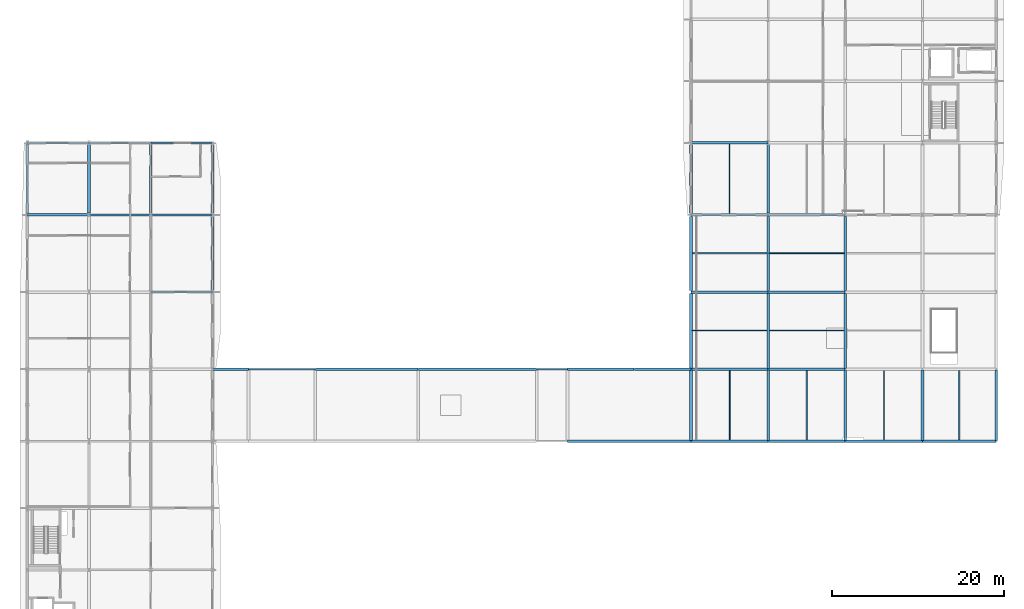
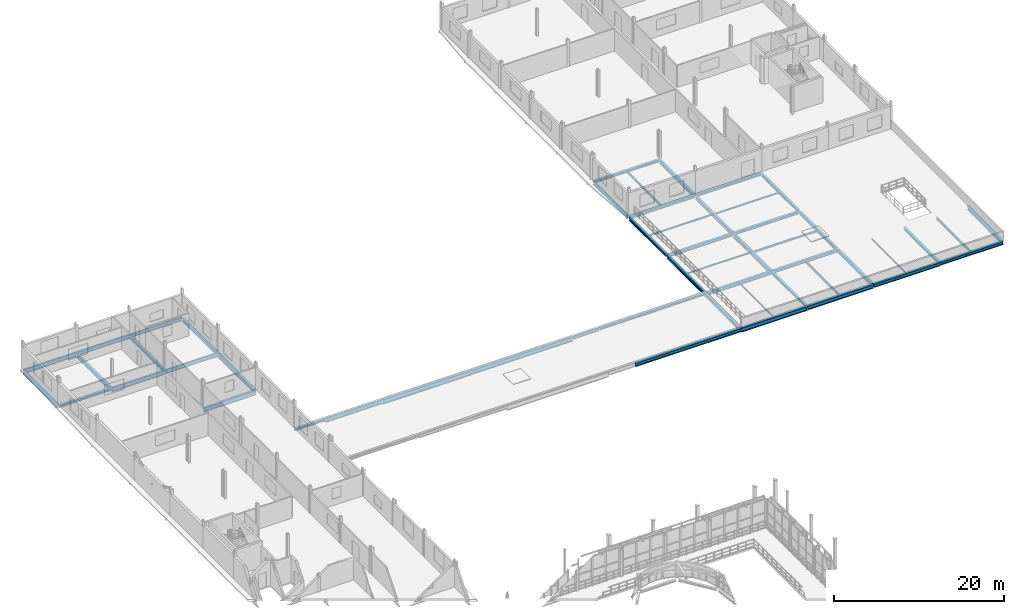
# One storey, part 42 of 78: 53 beams.
"""IFC4 building model written with IfcOpenShell, lengths in metres."""

import ifcopenshell
import ifcopenshell.guid

model = None  # the IFC model being written
_history = None  # IfcOwnerHistory: only IFC2X3 demands one
_inside = {}  # id of a spatial element -> (the spatial element, [elements in it])
_under = {}  # id of a project, library or spatial element -> (it, [spatial elements below it])
_declared = {}  # id of a project -> (the project, [libraries it declares])
_typed = {}  # id of a type object -> (the type object, [elements of that type])
_made_of = {}  # id of a material, layer set ... -> (it, [elements and type objects made of it])


def new_model(schema):
    """Start an empty IFC model of exactly this schema.

    Asked for "IFC4X3", IfcOpenShell would pick the latest addendum, in which some entities
    have other attributes; the version numbers below select the first issue.
    IFC2X3 requires an IfcOwnerHistory on every rooted entity: one is made here for all.
    """
    global model, _history
    if schema == "IFC4X3":
        model = ifcopenshell.file(schema_version=(4, 3, 0, 0))
    else:
        model = ifcopenshell.file(schema=schema)
    _inside.clear()
    _under.clear()
    _declared.clear()
    _typed.clear()
    _made_of.clear()
    _history = None
    if model.schema == "IFC2X3":
        org = make("IfcOrganization", Name="unknown")
        user = make(
            "IfcPersonAndOrganization",
            ThePerson=make("IfcPerson", FamilyName="unknown"),
            TheOrganization=org,
        )
        app = make(
            "IfcApplication",
            ApplicationDeveloper=org,
            Version="unknown",
            ApplicationFullName="unknown",
            ApplicationIdentifier="unknown",
        )
        _history = make(
            "IfcOwnerHistory",
            OwningUser=user,
            OwningApplication=app,
            ChangeAction="ADDED",
            CreationDate=0,
        )
    return model


def make(cls, **values):
    """One entity of the class cls with the attributes given. An attribute that is None is left unset."""
    return model.create_entity(
        cls, **{name: value for name, value in values.items() if value is not None}
    )


def rooted(cls, **values):
    """An entity with a GlobalId (a new one), such as an element, a storey or a relation."""
    return make(cls, GlobalId=ifcopenshell.guid.new(), OwnerHistory=_history, **values)


def si_unit(unit_type, name, prefix=None):
    """IfcSIUnit, for example si_unit("LENGTHUNIT", "METRE", prefix="MILLI")."""
    return make("IfcSIUnit", UnitType=unit_type, Prefix=prefix, Name=name)


def assignment(units):
    """IfcUnitAssignment: the units of a project."""
    return None if units is None else make("IfcUnitAssignment", Units=units)


def point(xyz):
    """IfcCartesianPoint."""
    return None if xyz is None else make("IfcCartesianPoint", Coordinates=xyz)


def direction(xyz):
    """IfcDirection."""
    return None if xyz is None else make("IfcDirection", DirectionRatios=xyz)


def frame(location, z_axis=None, x_axis=None):
    """IfcAxis2Placement3D, a coordinate frame: its origin and axes. An axis left out is left unset."""
    return make(
        "IfcAxis2Placement3D",
        Location=point(location),
        Axis=direction(z_axis),
        RefDirection=direction(x_axis),
    )


def frame_2d(location, x_axis=None):
    """IfcAxis2Placement2D, a coordinate frame in the plane: its origin and x axis."""
    return make(
        "IfcAxis2Placement2D", Location=point(location), RefDirection=direction(x_axis)
    )


def origin():
    """The frame at (0, 0, 0) with its axes left unset."""
    return frame((0.0, 0.0, 0.0))


def origin_2d():
    """The frame at (0, 0) in the plane with its x axis left unset."""
    return frame_2d((0.0, 0.0))


def place(relative_to, where):
    """IfcLocalPlacement: puts the frame where relative to a parent placement (None: the world)."""
    return make(
        "IfcLocalPlacement", PlacementRelTo=relative_to, RelativePlacement=where
    )


def context(
    kind, dimensions, precision=None, world=None, true_north=None, identifier=None
):
    """IfcGeometricRepresentationContext, for example the 3D "Model" context."""
    return make(
        "IfcGeometricRepresentationContext",
        ContextIdentifier=identifier,
        ContextType=kind,
        CoordinateSpaceDimension=dimensions,
        Precision=precision,
        WorldCoordinateSystem=world,
        TrueNorth=true_north,
    )


def subcontext(parent, identifier, kind, view, scale=None):
    """IfcGeometricRepresentationSubContext, for example "Body" below "Model"."""
    return make(
        "IfcGeometricRepresentationSubContext",
        ContextIdentifier=identifier,
        ContextType=kind,
        ParentContext=parent,
        TargetScale=scale,
        TargetView=view,
    )


def project(units=None, contexts=None):
    """IfcProject with its units and contexts."""
    return rooted(
        "IfcProject",
        Name="project",
        RepresentationContexts=contexts,
        UnitsInContext=assignment(units),
    )


def spatial(cls, under=None, at=None, **own):
    """A site, building, storey or space (cls), placed at a placement, below another one or the project."""
    s = rooted(cls, ObjectPlacement=at, **own)
    if under is not None:
        _under.setdefault(under.id(), (under, []))[1].append(s)
    return s


def profile(cls, at=None, kind="AREA", **sizes):
    """A parametric profile (cls). Its sizes go by their IFC names, for example OverallWidth=200.0."""
    return make(cls, ProfileType=kind, Position=at, **sizes)


def i_section(**sizes):
    """IfcIShapeProfileDef."""
    return profile("IfcIShapeProfileDef", **sizes)


def extrude(swept, where, along, depth):
    """IfcExtrudedAreaSolid: the profile swept, set in the frame where, extruded along a direction by depth."""
    return make(
        "IfcExtrudedAreaSolid",
        SweptArea=swept,
        Position=where,
        ExtrudedDirection=direction(along),
        Depth=depth,
    )


def shape(context_of_items, identifier, shape_type, items):
    """IfcShapeRepresentation: the items that make up one representation, for example the "Body"."""
    return make(
        "IfcShapeRepresentation",
        ContextOfItems=context_of_items,
        RepresentationIdentifier=identifier,
        RepresentationType=shape_type,
        Items=items,
    )


def material(Name=None, Category=None):
    """IfcMaterial."""
    return make("IfcMaterial", Name=Name, Category=Category)


def material_profile(
    of_material, cross_section, Name=None, Category=None, Priority=None
):
    """IfcMaterialProfile: a cross section and its material."""
    return make(
        "IfcMaterialProfile",
        Name=Name,
        Material=of_material,
        Profile=cross_section,
        Priority=Priority,
        Category=Category,
    )


def profile_set(profiles, Name=None, composite=None):
    """IfcMaterialProfileSet."""
    return make(
        "IfcMaterialProfileSet",
        Name=Name,
        MaterialProfiles=profiles,
        CompositeProfile=composite,
    )


def made_of(thing, what):
    """Note that an element or type object is made of a material, layer set ...; save() writes the relation."""
    if what is not None:
        _made_of.setdefault(what.id(), (what, []))[1].append(thing)
    return thing


def type_object(cls, material=None, **own):
    """A type object (cls), such as IfcWallType, which elements share."""
    return made_of(rooted(cls, **own), material)


def element(
    cls,
    number,
    at=None,
    inside=None,
    cuts=None,
    type_object=None,
    material=None,
    context=None,
    identifier="Body",
    shape_type=None,
    held_by="IfcProductDefinitionShape",
    body=None,
    shapes=None,
    **own,
):
    """One element of the class cls, such as IfcWall. Its Tag is "e" and its number.

    at: its placement. inside: the storey or other place that contains it. cuts: it is an
    opening in that element (IfcRelVoidsElement). A single representation is given by context,
    identifier, shape_type and body (its items); several are given by shapes. held_by: the class
    of the entity that holds the representations. save() writes the other relations.
    """
    e = rooted(cls, Tag="e%d" % number, ObjectPlacement=at, **own)
    if body is not None:
        shapes = [shape(context, identifier, shape_type, body)]
    if shapes is not None:
        e.Representation = make(held_by, Representations=shapes)
    if inside is not None:
        _inside.setdefault(inside.id(), (inside, []))[1].append(e)
    if cuts is not None:
        rooted(
            "IfcRelVoidsElement", RelatingBuildingElement=cuts, RelatedOpeningElement=e
        )
    if type_object is not None:
        _typed.setdefault(type_object.id(), (type_object, []))[1].append(e)
    return made_of(e, material)


def aggregate(whole, parts):
    """IfcRelAggregates: a whole, such as a stair, and the parts it consists of."""
    return rooted("IfcRelAggregates", RelatingObject=whole, RelatedObjects=parts)


def save(model, path):
    """Write the relations noted so far, then the file.

    IfcRelAggregates (storeys below a building ...), IfcRelContainedInSpatialStructure (elements
    in a storey), IfcRelDefinesByType, IfcRelAssociatesMaterial and IfcRelDeclares: one each for
    every whole, place, type object, material and project.
    """
    for whole, parts in _under.values():
        aggregate(whole, parts)
    for where, things in _inside.values():
        rooted(
            "IfcRelContainedInSpatialStructure",
            RelatedElements=things,
            RelatingStructure=where,
        )
    for kind, things in _typed.values():
        rooted("IfcRelDefinesByType", RelatedObjects=things, RelatingType=kind)
    for what, things in _made_of.values():
        rooted("IfcRelAssociatesMaterial", RelatedObjects=things, RelatingMaterial=what)
    for by, libraries in _declared.values():
        rooted("IfcRelDeclares", RelatingContext=by, RelatedDefinitions=libraries)
    model.write(path)


model = new_model("IFC4")

# Units and contexts
model_context = context("Model", 3, precision=1e-05, world=origin(), true_north=direction((0.0, 1.0)))
body_context = subcontext(model_context, "Body", "Model", "MODEL_VIEW")
ifc_project = project(units=[si_unit("LENGTHUNIT", "METRE"), si_unit("AREAUNIT", "SQUARE_METRE"), si_unit("VOLUMEUNIT", "CUBIC_METRE"), si_unit("PLANEANGLEUNIT", "RADIAN"), si_unit("MASSUNIT", "GRAM", prefix="KILO")], contexts=[model_context])

# Site, building, storey
site_placement = place(None, origin())
site = spatial("IfcSite", under=ifc_project, at=site_placement, CompositionType="ELEMENT")
building_placement = place(site_placement, origin())
building = spatial("IfcBuilding", under=site, at=building_placement, Name="Vinh Khe Railworks Police Headquarters", CompositionType="ELEMENT")
storey_placement = place(building_placement, frame((0.0, 0.0, 13.199951171875)))
storey = spatial("IfcBuildingStorey", under=building, at=storey_placement, Name="L03", CompositionType="ELEMENT", Elevation=13.199951171875)

# Beams
ifc_material = material(Name="Steel S355JR", Category="steel")
ifc_material_profile_1 = material_profile(ifc_material, i_section(OverallWidth=0.179931640625, OverallDepth=0.1708984375, WebThickness=0.006103515625, FlangeThickness=0.009521484375, FilletRadius=0.014892578125, at=origin_2d()), Name="HEA 180")
ifc_profile_set_1 = profile_set([ifc_material_profile_1], Name="Steel S355JR")
beam_type_1 = type_object("IfcBeamType", Name="Secondary Joist HEA 180", PredefinedType="JOIST", material=ifc_profile_set_1)
beam_1_placement = place(storey_placement, frame((78.14990234375, 117.89990234375, -0.305419921875), z_axis=(1.0, 0.0, 0.0), x_axis=(0.0, 1.0, 0.0)))
element("IfcBeam", 1, at=beam_1_placement, inside=storey, type_object=beam_type_1, Name="Secondary Joist JST-L03-SJ-10-0024", PredefinedType="JOIST", context=body_context, shape_type="SweptSolid", body=[
    extrude(i_section(OverallWidth=0.179931640625, OverallDepth=0.1708984375, WebThickness=0.006103515625, FlangeThickness=0.009521484375, FilletRadius=0.014892578125, at=origin_2d()), origin(), (0.0, 0.0, 1.0), 8.7001953125),
])
ifc_material_profile_2 = material_profile(ifc_material, i_section(OverallWidth=0.08203125, OverallDepth=0.159912109375, WebThickness=0.0048828125, FlangeThickness=0.00732421875, FilletRadius=0.009033203125, at=origin_2d()), Name="IPE 160")
ifc_profile_set_2 = profile_set([ifc_material_profile_2], Name="Steel S355JR")
beam_type_2 = type_object("IfcBeamType", Name="Secondary Joist IPE 160", PredefinedType="JOIST", material=ifc_profile_set_2)
beam_2_placement = place(storey_placement, frame((78.14990234375, 108.89990234375, -0.300048828125), z_axis=(1.0, 0.0, 0.0), x_axis=(0.0, 1.0, 0.0)))
element("IfcBeam", 2, at=beam_2_placement, inside=storey, type_object=beam_type_2, Name="Secondary Joist JST-L03-SJ-08-0023", PredefinedType="JOIST", context=body_context, shape_type="SweptSolid", body=[
    extrude(i_section(OverallWidth=0.08203125, OverallDepth=0.159912109375, WebThickness=0.0048828125, FlangeThickness=0.00732421875, FilletRadius=0.009033203125, at=origin_2d()), origin(), (0.0, 0.0, 1.0), 8.7001953125),
])
ifc_material_profile_3 = material_profile(ifc_material, i_section(OverallWidth=0.10009765625, OverallDepth=0.199951171875, WebThickness=0.005615234375, FlangeThickness=0.008544921875, FilletRadius=0.011962890625, at=origin_2d()), Name="IPE 200")
ifc_profile_set_3 = profile_set([ifc_material_profile_3], Name="Steel S355JR")
beam_type_3 = type_object("IfcBeamType", Name="Secondary Joist IPE 200", PredefinedType="JOIST", material=ifc_profile_set_3)
for number, where, z_axis, x_axis, name in (
    (3, (82.5, 96.14990234375, -0.320068359375), (0.0, 1.0, 0.0), (-1.0, 0.0, 0.0), "Secondary Joist JST-L03-SJ-06-0022"),
    (4, (100.5, 96.14990234375, -0.320068359375), (0.0, 1.0, 0.0), (-1.0, 0.0, 0.0), "Secondary Joist JST-L03-SJ-06-0030"),
):
    element("IfcBeam", number, at=place(storey_placement, frame(where, z_axis=z_axis, x_axis=x_axis)), inside=storey, type_object=beam_type_3, Name=name, PredefinedType="JOIST", context=body_context, shape_type="SweptSolid", body=[
        extrude(i_section(OverallWidth=0.10009765625, OverallDepth=0.199951171875, WebThickness=0.005615234375, FlangeThickness=0.008544921875, FilletRadius=0.011962890625, at=origin_2d()), origin(), (0.0, 0.0, 1.0), 8.10009765625),
    ])
ifc_material_profile_4 = material_profile(ifc_material, i_section(OverallWidth=0.110107421875, OverallDepth=0.219970703125, WebThickness=0.005859375, FlangeThickness=0.00927734375, FilletRadius=0.011962890625, at=origin_2d()), Name="IPE 220")
ifc_profile_set_4 = profile_set([ifc_material_profile_4], Name="Steel S355JR")
beam_type_4 = type_object("IfcBeamType", Name="Secondary Joist IPE 220", PredefinedType="JOIST", material=ifc_profile_set_4)
beam_3_placement = place(storey_placement, frame((87.14990234375, 117.89990234375, -0.329833984375), z_axis=(1.0, 0.0, 0.0), x_axis=(0.0, 1.0, 0.0)))
element("IfcBeam", 5, at=beam_3_placement, inside=storey, type_object=beam_type_4, Name="Secondary Joist JST-L03-SJ-05-0028", PredefinedType="JOIST", context=body_context, shape_type="SweptSolid", body=[
    extrude(i_section(OverallWidth=0.110107421875, OverallDepth=0.219970703125, WebThickness=0.005859375, FlangeThickness=0.00927734375, FilletRadius=0.011962890625, at=origin_2d()), origin(), (0.0, 0.0, 1.0), 8.7001953125),
])
ifc_material_profile_5 = material_profile(ifc_material, i_section(OverallWidth=0.135009765625, OverallDepth=0.27001953125, WebThickness=0.006591796875, FlangeThickness=0.01025390625, FilletRadius=0.014892578125, at=origin_2d()), Name="IPE 270")
ifc_profile_set_5 = profile_set([ifc_material_profile_5], Name="Steel S355JR")
beam_type_5 = type_object("IfcBeamType", Name="Secondary Joist IPE 270", PredefinedType="JOIST", material=ifc_profile_set_5)
beam_4_placement = place(storey_placement, frame((87.14990234375, 108.89990234375, -0.35498046875), z_axis=(1.0, 0.0, 0.0), x_axis=(0.0, 1.0, 0.0)))
element("IfcBeam", 6, at=beam_4_placement, inside=storey, type_object=beam_type_5, Name="Secondary Joist JST-L03-SJ-03-0027", PredefinedType="JOIST", context=body_context, shape_type="SweptSolid", body=[
    extrude(i_section(OverallWidth=0.135009765625, OverallDepth=0.27001953125, WebThickness=0.006591796875, FlangeThickness=0.01025390625, FilletRadius=0.014892578125, at=origin_2d()), origin(), (0.0, 0.0, 1.0), 8.7001953125),
])
ifc_material_profile_6 = material_profile(ifc_material, i_section(OverallWidth=0.14990234375, OverallDepth=0.300048828125, WebThickness=0.007080078125, FlangeThickness=0.0107421875, FilletRadius=0.014892578125, at=origin_2d()), Name="IPE 300")
ifc_profile_set_6 = profile_set([ifc_material_profile_6], Name="Steel S355JR")
beam_type_6 = type_object("IfcBeamType", Name="Secondary Joist IPE 300", PredefinedType="JOIST", material=ifc_profile_set_6)
beam_5_placement = place(storey_placement, frame((82.5, 122.550048828125, -0.369873046875), z_axis=(0.0, 1.0, 0.0), x_axis=(-1.0, 0.0, 0.0)))
element("IfcBeam", 7, at=beam_5_placement, inside=storey, type_object=beam_type_6, Name="Secondary Joist JST-L03-SJ-02-0025", PredefinedType="JOIST", context=body_context, shape_type="SweptSolid", body=[
    extrude(i_section(OverallWidth=0.14990234375, OverallDepth=0.300048828125, WebThickness=0.007080078125, FlangeThickness=0.0107421875, FilletRadius=0.014892578125, at=origin_2d()), origin(), (0.0, 0.0, 1.0), 8.099853515625),
])
ifc_material_profile_7 = material_profile(ifc_material, i_section(OverallWidth=0.159912109375, OverallDepth=0.330078125, WebThickness=0.007568359375, FlangeThickness=0.011474609375, FilletRadius=0.01806640625, at=origin_2d()), Name="IPE 330")
ifc_profile_set_7 = profile_set([ifc_material_profile_7], Name="Steel S355JR")
beam_type_7 = type_object("IfcBeamType", Name="Secondary Joist IPE 330", PredefinedType="JOIST", material=ifc_profile_set_7)
for number, where, z_axis, x_axis, name in (
    (8, (91.5, 96.14990234375, -0.385009765625), (0.0, 1.0, 0.0), (-1.0, 0.0, 0.0), "Secondary Joist JST-L03-SJ-01-0026"),
    (9, (109.300048828125, 96.14990234375, -0.385009765625), (0.0, 1.0, 0.0), (-1.0, 0.0, 0.0), "Secondary Joist JST-L03-SJ-01-0034"),
):
    element("IfcBeam", number, at=place(storey_placement, frame(where, z_axis=z_axis, x_axis=x_axis)), inside=storey, type_object=beam_type_7, Name=name, PredefinedType="JOIST", context=body_context, shape_type="SweptSolid", body=[
        extrude(i_section(OverallWidth=0.159912109375, OverallDepth=0.330078125, WebThickness=0.007568359375, FlangeThickness=0.011474609375, FilletRadius=0.01806640625, at=origin_2d()), origin(), (0.0, 0.0, 1.0), 8.10009765625),
    ])
ifc_material_profile_8 = material_profile(ifc_material, i_section(OverallWidth=0.300048828125, OverallDepth=0.330078125, WebThickness=0.009521484375, FlangeThickness=0.0166015625, FilletRadius=0.027099609375, at=origin_2d()), Name="HEA 340")
ifc_profile_set_8 = profile_set([ifc_material_profile_8], Name="Steel S355JR")
beam_type_8 = type_object("IfcBeamType", Name="Steel Girder HEA 340", PredefinedType="BEAM", material=ifc_profile_set_8)
beam_6_placement = place(storey_placement, frame((22.219970703125, 104.39990234375, -0.385009765625), z_axis=(1.0, 0.0, 0.0), x_axis=(0.0, 1.0, 0.0)))
element("IfcBeam", 10, at=beam_6_placement, inside=storey, type_object=beam_type_8, Name="Girder BM-L03-EW-SB-16-1094", PredefinedType="BEAM", context=body_context, shape_type="SweptSolid", body=[
    extrude(i_section(OverallWidth=0.300048828125, OverallDepth=0.330078125, WebThickness=0.009521484375, FlangeThickness=0.0166015625, FilletRadius=0.027099609375, at=origin_2d()), origin(), (0.0, 0.0, 1.0), 4.159912109375),
])
beam_7_placement = place(storey_placement, frame((71.419921875, 104.39990234375, -0.385009765625), z_axis=(1.0, 0.0, 0.0), x_axis=(0.0, 1.0, 0.0)))
element("IfcBeam", 11, at=beam_7_placement, inside=storey, type_object=beam_type_8, Name="Girder BM-L03-EW-SB-16-1100", PredefinedType="BEAM", context=body_context, shape_type="SweptSolid", body=[
    extrude(i_section(OverallWidth=0.300048828125, OverallDepth=0.330078125, WebThickness=0.009521484375, FlangeThickness=0.0166015625, FilletRadius=0.027099609375, at=origin_2d()), origin(), (0.0, 0.0, 1.0), 6.56005859375),
])
beam_8_placement = place(storey_placement, frame((0.6201171875, 122.39990234375, -0.385009765625), z_axis=(1.0, 0.0, 0.0), x_axis=(0.0, 1.0, 0.0)))
element("IfcBeam", 12, at=beam_8_placement, inside=storey, type_object=beam_type_8, Name="Girder BM-L03-EW-SB-16-1112", PredefinedType="BEAM", context=body_context, shape_type="SweptSolid", body=[
    extrude(i_section(OverallWidth=0.300048828125, OverallDepth=0.330078125, WebThickness=0.009521484375, FlangeThickness=0.0166015625, FilletRadius=0.027099609375, at=origin_2d()), origin(), (0.0, 0.0, 1.0), 7.159912109375),
])
ifc_material_profile_9 = material_profile(ifc_material, i_section(OverallWidth=0.300048828125, OverallDepth=0.35009765625, WebThickness=0.010009765625, FlangeThickness=0.017578125, FilletRadius=0.027099609375, at=origin_2d()), Name="HEA 360")
ifc_profile_set_9 = profile_set([ifc_material_profile_9], Name="Steel S355JR")
beam_type_9 = type_object("IfcBeamType", Name="Steel Girder HEA 360", PredefinedType="BEAM", material=ifc_profile_set_9)
beam_9_placement = place(storey_placement, frame((63.6201171875, 104.39990234375, -0.39501953125), z_axis=(1.0, 0.0, 0.0), x_axis=(0.0, 1.0, 0.0)))
element("IfcBeam", 13, at=beam_9_placement, inside=storey, type_object=beam_type_9, Name="Girder BM-L03-EW-SB-15-1099", PredefinedType="BEAM", context=body_context, shape_type="SweptSolid", body=[
    extrude(i_section(OverallWidth=0.300048828125, OverallDepth=0.35009765625, WebThickness=0.010009765625, FlangeThickness=0.017578125, FilletRadius=0.027099609375, at=origin_2d()), origin(), (0.0, 0.0, 1.0), 7.759765625),
])
for number, where, z_axis, x_axis, name in (
    (14, (87.02001953125, 122.39990234375, -0.39501953125), (1.0, 0.0, 0.0), (0.0, 1.0, 0.0), "Girder BM-L03-EW-SB-15-1116"),
    (15, (78.02001953125, 130.800048828125, -0.39501953125), (1.0, 0.0, 0.0), (0.0, 1.0, 0.0), "Girder BM-L03-EW-SB-15-1122"),
):
    element("IfcBeam", number, at=place(storey_placement, frame(where, z_axis=z_axis, x_axis=x_axis)), inside=storey, type_object=beam_type_9, Name=name, PredefinedType="BEAM", context=body_context, shape_type="SweptSolid", body=[
        extrude(i_section(OverallWidth=0.300048828125, OverallDepth=0.35009765625, WebThickness=0.010009765625, FlangeThickness=0.017578125, FilletRadius=0.027099609375, at=origin_2d()), origin(), (0.0, 0.0, 1.0), 8.9599609375),
    ])
beam_10_placement = place(storey_placement, frame((78.0, 122.60498046875, -0.39501953125), z_axis=(0.0, 1.0, 0.0), x_axis=(-1.0, 0.0, 0.0)))
element("IfcBeam", 16, at=beam_10_placement, inside=storey, type_object=beam_type_9, Name="Girder BM-L03-NS-SB-15-1230", PredefinedType="BEAM", context=body_context, shape_type="SweptSolid", body=[
    extrude(i_section(OverallWidth=0.300048828125, OverallDepth=0.35009765625, WebThickness=0.010009765625, FlangeThickness=0.017578125, FilletRadius=0.027099609375, at=origin_2d()), origin(), (0.0, 0.0, 1.0), 8.01513671875),
])
for number, where, z_axis, x_axis, name in (
    (17, (87.0, 96.114990234375, -0.39501953125), (0.0, 1.0, 0.0), (-1.0, 0.0, 0.0), "Girder BM-L03-NS-SB-15-1236"),
    (18, (105.0, 96.114990234375, -0.39501953125), (0.0, 1.0, 0.0), (-1.0, 0.0, 0.0), "Girder BM-L03-NS-SB-15-1254"),
):
    element("IfcBeam", number, at=place(storey_placement, frame(where, z_axis=z_axis, x_axis=x_axis)), inside=storey, type_object=beam_type_9, Name=name, PredefinedType="BEAM", context=body_context, shape_type="SweptSolid", body=[
        extrude(i_section(OverallWidth=0.300048828125, OverallDepth=0.35009765625, WebThickness=0.010009765625, FlangeThickness=0.017578125, FilletRadius=0.027099609375, at=origin_2d()), origin(), (0.0, 0.0, 1.0), 8.18994140625),
    ])
ifc_material_profile_10 = material_profile(ifc_material, i_section(OverallWidth=0.300048828125, OverallDepth=0.389892578125, WebThickness=0.010986328125, FlangeThickness=0.01904296875, FilletRadius=0.027099609375, at=origin_2d()), Name="HEA 400")
ifc_profile_set_10 = profile_set([ifc_material_profile_10], Name="Steel S355JR")
beam_type_10 = type_object("IfcBeamType", Name="Steel Girder HEA 400", PredefinedType="BEAM", material=ifc_profile_set_10)
for number, where, z_axis, x_axis, name in (
    (19, (87.02001953125, 113.39990234375, -0.4150390625), (1.0, 0.0, 0.0), (0.0, 1.0, 0.0), "Girder BM-L03-EW-SB-14-1109"),
    (20, (78.02001953125, 122.39990234375, -0.4150390625), (1.0, 0.0, 0.0), (0.0, 1.0, 0.0), "Girder BM-L03-EW-SB-14-1115"),
):
    element("IfcBeam", number, at=place(storey_placement, frame(where, z_axis=z_axis, x_axis=x_axis)), inside=storey, type_object=beam_type_10, Name=name, PredefinedType="BEAM", context=body_context, shape_type="SweptSolid", body=[
        extrude(i_section(OverallWidth=0.300048828125, OverallDepth=0.389892578125, WebThickness=0.010986328125, FlangeThickness=0.01904296875, FilletRadius=0.027099609375, at=origin_2d()), origin(), (0.0, 0.0, 1.0), 8.9599609375),
    ])
beam_11_placement = place(storey_placement, frame((15.0, 122.6298828125, -0.4150390625), z_axis=(0.0, 1.0, 0.0), x_axis=(-1.0, 0.0, 0.0)))
element("IfcBeam", 21, at=beam_11_placement, inside=storey, type_object=beam_type_10, Name="Girder BM-L03-NS-SB-14-1193", PredefinedType="BEAM", context=body_context, shape_type="SweptSolid", body=[
    extrude(i_section(OverallWidth=0.300048828125, OverallDepth=0.389892578125, WebThickness=0.010986328125, FlangeThickness=0.01904296875, FilletRadius=0.027099609375, at=origin_2d()), origin(), (0.0, 0.0, 1.0), 7.965087890625),
])
for number, where, z_axis, x_axis, name in (
    (22, (78.0, 113.554931640625, -0.4150390625), (0.0, 1.0, 0.0), (-1.0, 0.0, 0.0), "Girder BM-L03-NS-SB-14-1229"),
    (23, (96.0, 113.554931640625, -0.4150390625), (0.0, 1.0, 0.0), (-1.0, 0.0, 0.0), "Girder BM-L03-NS-SB-14-1247"),
):
    element("IfcBeam", number, at=place(storey_placement, frame(where, z_axis=z_axis, x_axis=x_axis)), inside=storey, type_object=beam_type_10, Name=name, PredefinedType="BEAM", context=body_context, shape_type="SweptSolid", body=[
        extrude(i_section(OverallWidth=0.300048828125, OverallDepth=0.389892578125, WebThickness=0.010986328125, FlangeThickness=0.01904296875, FilletRadius=0.027099609375, at=origin_2d()), origin(), (0.0, 0.0, 1.0), 8.64013671875),
    ])
ifc_material_profile_11 = material_profile(ifc_material, i_section(OverallWidth=0.300048828125, OverallDepth=0.43994140625, WebThickness=0.011474609375, FlangeThickness=0.02099609375, FilletRadius=0.027099609375, at=origin_2d()), Name="HEA 450")
ifc_profile_set_11 = profile_set([ifc_material_profile_11], Name="Steel S355JR")
beam_type_11 = type_object("IfcBeamType", Name="Steel Girder HEA 450", PredefinedType="BEAM", material=ifc_profile_set_11)
beam_12_placement = place(storey_placement, frame((105.02001953125, 96.0, -0.43994140625), z_axis=(1.0, 0.0, 0.0), x_axis=(0.0, 1.0, 0.0)))
element("IfcBeam", 24, at=beam_12_placement, inside=storey, type_object=beam_type_11, Name="Girder BM-L03-EW-SB-13-1090", PredefinedType="BEAM", context=body_context, shape_type="SweptSolid", body=[
    extrude(i_section(OverallWidth=0.300048828125, OverallDepth=0.43994140625, WebThickness=0.011474609375, FlangeThickness=0.02099609375, FilletRadius=0.027099609375, at=origin_2d()), origin(), (0.0, 0.0, 1.0), 8.56005859375),
])
for number, where, z_axis, x_axis, name in (
    (25, (87.02001953125, 104.39990234375, -0.43994140625), (1.0, 0.0, 0.0), (0.0, 1.0, 0.0), "Girder BM-L03-EW-SB-13-1102"),
    (26, (78.02001953125, 113.39990234375, -0.43994140625), (1.0, 0.0, 0.0), (0.0, 1.0, 0.0), "Girder BM-L03-EW-SB-13-1108"),
):
    element("IfcBeam", number, at=place(storey_placement, frame(where, z_axis=z_axis, x_axis=x_axis)), inside=storey, type_object=beam_type_11, Name=name, PredefinedType="BEAM", context=body_context, shape_type="SweptSolid", body=[
        extrude(i_section(OverallWidth=0.300048828125, OverallDepth=0.43994140625, WebThickness=0.011474609375, FlangeThickness=0.02099609375, FilletRadius=0.027099609375, at=origin_2d()), origin(), (0.0, 0.0, 1.0), 8.9599609375),
    ])
for number, where, z_axis, x_axis, name in (
    (27, (78.0, 104.4951171875, -0.43994140625), (0.0, 1.0, 0.0), (-1.0, 0.0, 0.0), "Girder BM-L03-NS-SB-13-1228"),
    (28, (96.0, 104.4951171875, -0.43994140625), (0.0, 1.0, 0.0), (-1.0, 0.0, 0.0), "Girder BM-L03-NS-SB-13-1246"),
):
    element("IfcBeam", number, at=place(storey_placement, frame(where, z_axis=z_axis, x_axis=x_axis)), inside=storey, type_object=beam_type_11, Name=name, PredefinedType="BEAM", context=body_context, shape_type="SweptSolid", body=[
        extrude(i_section(OverallWidth=0.300048828125, OverallDepth=0.43994140625, WebThickness=0.011474609375, FlangeThickness=0.02099609375, FilletRadius=0.027099609375, at=origin_2d()), origin(), (0.0, 0.0, 1.0), 8.75),
    ])
ifc_material_profile_12 = material_profile(ifc_material, i_section(OverallWidth=0.300048828125, OverallDepth=0.489990234375, WebThickness=0.011962890625, FlangeThickness=0.02294921875, FilletRadius=0.027099609375, at=origin_2d()), Name="HEA 500")
ifc_profile_set_12 = profile_set([ifc_material_profile_12], Name="Steel S355JR")
beam_type_12 = type_object("IfcBeamType", Name="Steel Girder HEA 500", PredefinedType="BEAM", material=ifc_profile_set_12)
for number, where, z_axis, x_axis, name in (
    (29, (96.02001953125, 96.0, -0.46484375), (1.0, 0.0, 0.0), (0.0, 1.0, 0.0), "Girder BM-L03-EW-SB-12-1089"),
    (30, (78.02001953125, 104.39990234375, -0.46484375), (1.0, 0.0, 0.0), (0.0, 1.0, 0.0), "Girder BM-L03-EW-SB-12-1101"),
):
    element("IfcBeam", number, at=place(storey_placement, frame(where, z_axis=z_axis, x_axis=x_axis)), inside=storey, type_object=beam_type_12, Name=name, PredefinedType="BEAM", context=body_context, shape_type="SweptSolid", body=[
        extrude(i_section(OverallWidth=0.300048828125, OverallDepth=0.489990234375, WebThickness=0.011962890625, FlangeThickness=0.02294921875, FilletRadius=0.027099609375, at=origin_2d()), origin(), (0.0, 0.0, 1.0), 8.9599609375),
    ])
beam_13_placement = place(storey_placement, frame((0.60009765625, 122.580078125, -0.46484375), z_axis=(0.0, 1.0, 0.0), x_axis=(-1.0, 0.0, 0.0)))
element("IfcBeam", 31, at=beam_13_placement, inside=storey, type_object=beam_type_12, Name="Girder BM-L03-NS-SB-12-1161", PredefinedType="BEAM", context=body_context, shape_type="SweptSolid", body=[
    extrude(i_section(OverallWidth=0.300048828125, OverallDepth=0.489990234375, WebThickness=0.011962890625, FlangeThickness=0.02294921875, FilletRadius=0.027099609375, at=origin_2d()), origin(), (0.0, 0.0, 1.0), 8.059814453125),
])
beam_14_placement = place(storey_placement, frame((22.199951171875, 122.550048828125, -0.46484375), z_axis=(0.0, 1.0, 0.0), x_axis=(-1.0, 0.0, 0.0)))
element("IfcBeam", 32, at=beam_14_placement, inside=storey, type_object=beam_type_12, Name="Girder BM-L03-NS-SB-12-1209", PredefinedType="BEAM", context=body_context, shape_type="SweptSolid", body=[
    extrude(i_section(OverallWidth=0.300048828125, OverallDepth=0.489990234375, WebThickness=0.011962890625, FlangeThickness=0.02294921875, FilletRadius=0.027099609375, at=origin_2d()), origin(), (0.0, 0.0, 1.0), 8.02001953125),
])
beam_15_placement = place(storey_placement, frame((78.0, 96.114990234375, -0.46484375), z_axis=(0.0, 1.0, 0.0), x_axis=(-1.0, 0.0, 0.0)))
element("IfcBeam", 33, at=beam_15_placement, inside=storey, type_object=beam_type_12, Name="Girder BM-L03-NS-SB-12-1227", PredefinedType="BEAM", context=body_context, shape_type="SweptSolid", body=[
    extrude(i_section(OverallWidth=0.300048828125, OverallDepth=0.489990234375, WebThickness=0.011962890625, FlangeThickness=0.02294921875, FilletRadius=0.027099609375, at=origin_2d()), origin(), (0.0, 0.0, 1.0), 8.18994140625),
])
beam_16_placement = place(storey_placement, frame((87.0, 122.60498046875, -0.46484375), z_axis=(0.0, 1.0, 0.0), x_axis=(-1.0, 0.0, 0.0)))
element("IfcBeam", 34, at=beam_16_placement, inside=storey, type_object=beam_type_12, Name="Girder BM-L03-NS-SB-12-1239", PredefinedType="BEAM", context=body_context, shape_type="SweptSolid", body=[
    extrude(i_section(OverallWidth=0.300048828125, OverallDepth=0.489990234375, WebThickness=0.011962890625, FlangeThickness=0.02294921875, FilletRadius=0.027099609375, at=origin_2d()), origin(), (0.0, 0.0, 1.0), 8.01513671875),
])
for number, where, z_axis, x_axis, name in (
    (35, (96.0, 96.114990234375, -0.46484375), (0.0, 1.0, 0.0), (-1.0, 0.0, 0.0), "Girder BM-L03-NS-SB-12-1245"),
    (36, (113.60009765625, 96.114990234375, -0.46484375), (0.0, 1.0, 0.0), (-1.0, 0.0, 0.0), "Girder BM-L03-NS-SB-12-1263"),
):
    element("IfcBeam", number, at=place(storey_placement, frame(where, z_axis=z_axis, x_axis=x_axis)), inside=storey, type_object=beam_type_12, Name=name, PredefinedType="BEAM", context=body_context, shape_type="SweptSolid", body=[
        extrude(i_section(OverallWidth=0.300048828125, OverallDepth=0.489990234375, WebThickness=0.011962890625, FlangeThickness=0.02294921875, FilletRadius=0.027099609375, at=origin_2d()), origin(), (0.0, 0.0, 1.0), 8.18994140625),
    ])
ifc_material_profile_13 = material_profile(ifc_material, i_section(OverallWidth=0.300048828125, OverallDepth=0.5400390625, WebThickness=0.012451171875, FlangeThickness=0.02392578125, FilletRadius=0.027099609375, at=origin_2d()), Name="HEA 550")
ifc_profile_set_13 = profile_set([ifc_material_profile_13], Name="Steel S355JR")
beam_type_13 = type_object("IfcBeamType", Name="Steel Girder HEA 550", PredefinedType="BEAM", material=ifc_profile_set_13)
beam_17_placement = place(storey_placement, frame((87.02001953125, 96.0, -0.489990234375), z_axis=(1.0, 0.0, 0.0), x_axis=(0.0, 1.0, 0.0)))
element("IfcBeam", 37, at=beam_17_placement, inside=storey, type_object=beam_type_13, Name="Girder BM-L03-EW-SB-11-1088", PredefinedType="BEAM", context=body_context, shape_type="SweptSolid", body=[
    extrude(i_section(OverallWidth=0.300048828125, OverallDepth=0.5400390625, WebThickness=0.012451171875, FlangeThickness=0.02392578125, FilletRadius=0.027099609375, at=origin_2d()), origin(), (0.0, 0.0, 1.0), 8.9599609375),
])
beam_18_placement = place(storey_placement, frame((22.199951171875, 113.56005859375, -0.489990234375), z_axis=(0.0, 1.0, 0.0), x_axis=(-1.0, 0.0, 0.0)))
element("IfcBeam", 38, at=beam_18_placement, inside=storey, type_object=beam_type_13, Name="Girder BM-L03-NS-SB-11-1208", PredefinedType="BEAM", context=body_context, shape_type="SweptSolid", body=[
    extrude(i_section(OverallWidth=0.300048828125, OverallDepth=0.5400390625, WebThickness=0.012451171875, FlangeThickness=0.02392578125, FilletRadius=0.027099609375, at=origin_2d()), origin(), (0.0, 0.0, 1.0), 8.68994140625),
])
beam_19_placement = place(storey_placement, frame((87.0, 113.554931640625, -0.489990234375), z_axis=(0.0, 1.0, 0.0), x_axis=(-1.0, 0.0, 0.0)))
element("IfcBeam", 39, at=beam_19_placement, inside=storey, type_object=beam_type_13, Name="Girder BM-L03-NS-SB-11-1238", PredefinedType="BEAM", context=body_context, shape_type="SweptSolid", body=[
    extrude(i_section(OverallWidth=0.300048828125, OverallDepth=0.5400390625, WebThickness=0.012451171875, FlangeThickness=0.02392578125, FilletRadius=0.027099609375, at=origin_2d()), origin(), (0.0, 0.0, 1.0), 8.64013671875),
])
ifc_material_profile_14 = material_profile(ifc_material, i_section(OverallWidth=0.300048828125, OverallDepth=0.590087890625, WebThickness=0.012939453125, FlangeThickness=0.02490234375, FilletRadius=0.027099609375, at=origin_2d()), Name="HEA 600")
ifc_profile_set_14 = profile_set([ifc_material_profile_14], Name="Steel S355JR")
beam_type_14 = type_object("IfcBeamType", Name="Steel Girder HEA 600", PredefinedType="BEAM", material=ifc_profile_set_14)
beam_20_placement = place(storey_placement, frame((78.02001953125, 96.0, -0.514892578125), z_axis=(1.0, 0.0, 0.0), x_axis=(0.0, 1.0, 0.0)))
element("IfcBeam", 40, at=beam_20_placement, inside=storey, type_object=beam_type_14, Name="Girder BM-L03-EW-SB-10-1087", PredefinedType="BEAM", context=body_context, shape_type="SweptSolid", body=[
    extrude(i_section(OverallWidth=0.300048828125, OverallDepth=0.590087890625, WebThickness=0.012939453125, FlangeThickness=0.02490234375, FilletRadius=0.027099609375, at=origin_2d()), origin(), (0.0, 0.0, 1.0), 8.9599609375),
])
beam_21_placement = place(storey_placement, frame((7.800048828125, 122.60498046875, -0.514892578125), z_axis=(0.0, 1.0, 0.0), x_axis=(-1.0, 0.0, 0.0)))
element("IfcBeam", 41, at=beam_21_placement, inside=storey, type_object=beam_type_14, Name="Girder BM-L03-NS-SB-10-1177", PredefinedType="BEAM", context=body_context, shape_type="SweptSolid", body=[
    extrude(i_section(OverallWidth=0.300048828125, OverallDepth=0.590087890625, WebThickness=0.012939453125, FlangeThickness=0.02490234375, FilletRadius=0.027099609375, at=origin_2d()), origin(), (0.0, 0.0, 1.0), 8.01513671875),
])
beam_22_placement = place(storey_placement, frame((87.0, 104.4951171875, -0.514892578125), z_axis=(0.0, 1.0, 0.0), x_axis=(-1.0, 0.0, 0.0)))
element("IfcBeam", 42, at=beam_22_placement, inside=storey, type_object=beam_type_14, Name="Girder BM-L03-NS-SB-10-1237", PredefinedType="BEAM", context=body_context, shape_type="SweptSolid", body=[
    extrude(i_section(OverallWidth=0.300048828125, OverallDepth=0.590087890625, WebThickness=0.012939453125, FlangeThickness=0.02490234375, FilletRadius=0.027099609375, at=origin_2d()), origin(), (0.0, 0.0, 1.0), 8.75),
])
ifc_material_profile_15 = material_profile(ifc_material, i_section(OverallWidth=0.300048828125, OverallDepth=0.639892578125, WebThickness=0.013427734375, FlangeThickness=0.02587890625, FilletRadius=0.027099609375, at=origin_2d()), Name="HEA 650")
ifc_profile_set_15 = profile_set([ifc_material_profile_15], Name="Steel S355JR")
beam_type_15 = type_object("IfcBeamType", Name="Steel Girder HEA 650", PredefinedType="BEAM", material=ifc_profile_set_15)
beam_23_placement = place(storey_placement, frame((46.219970703125, 104.39990234375, -0.5400390625), z_axis=(1.0, 0.0, 0.0), x_axis=(0.0, 1.0, 0.0)))
element("IfcBeam", 43, at=beam_23_placement, inside=storey, type_object=beam_type_15, Name="Girder BM-L03-EW-SB-09-1097", PredefinedType="BEAM", context=body_context, shape_type="SweptSolid", body=[
    extrude(i_section(OverallWidth=0.300048828125, OverallDepth=0.639892578125, WebThickness=0.013427734375, FlangeThickness=0.02587890625, FilletRadius=0.027099609375, at=origin_2d()), origin(), (0.0, 0.0, 1.0), 13.760009765625),
])
ifc_material_profile_16 = material_profile(ifc_material, i_section(OverallWidth=0.300048828125, OverallDepth=0.68994140625, WebThickness=0.014404296875, FlangeThickness=0.027099609375, FilletRadius=0.027099609375, at=origin_2d()), Name="HEA 700")
ifc_profile_set_16 = profile_set([ifc_material_profile_16], Name="Steel S355JR")
beam_type_16 = type_object("IfcBeamType", Name="Steel Girder HEA 700", PredefinedType="BEAM", material=ifc_profile_set_16)
beam_24_placement = place(storey_placement, frame((34.219970703125, 104.39990234375, -0.56494140625), z_axis=(1.0, 0.0, 0.0), x_axis=(0.0, 1.0, 0.0)))
element("IfcBeam", 44, at=beam_24_placement, inside=storey, type_object=beam_type_16, Name="Girder BM-L03-EW-SB-08-1096", PredefinedType="BEAM", context=body_context, shape_type="SweptSolid", body=[
    extrude(i_section(OverallWidth=0.300048828125, OverallDepth=0.68994140625, WebThickness=0.014404296875, FlangeThickness=0.027099609375, FilletRadius=0.027099609375, at=origin_2d()), origin(), (0.0, 0.0, 1.0), 11.9599609375),
])
ifc_material_profile_17 = material_profile(ifc_material, i_section(OverallWidth=0.300048828125, OverallDepth=0.5, WebThickness=0.014404296875, FlangeThickness=0.028076171875, FilletRadius=0.027099609375, at=origin_2d()), Name="HEB 500")
ifc_profile_set_17 = profile_set([ifc_material_profile_17], Name="Steel S355JR")
beam_type_17 = type_object("IfcBeamType", Name="Steel Girder HEB 500", PredefinedType="BEAM", material=ifc_profile_set_17)
beam_25_placement = place(storey_placement, frame((63.6201171875, 96.0, -0.469970703125), z_axis=(1.0, 0.0, 0.0), x_axis=(0.0, 1.0, 0.0)))
element("IfcBeam", 45, at=beam_25_placement, inside=storey, type_object=beam_type_17, Name="Girder BM-L03-EW-SB-06-1086", PredefinedType="BEAM", context=body_context, shape_type="SweptSolid", body=[
    extrude(i_section(OverallWidth=0.300048828125, OverallDepth=0.5, WebThickness=0.014404296875, FlangeThickness=0.028076171875, FilletRadius=0.027099609375, at=origin_2d()), origin(), (0.0, 0.0, 1.0), 14.35986328125),
])
ifc_material_profile_18 = material_profile(ifc_material, i_section(OverallWidth=0.18994140625, OverallDepth=0.449951171875, WebThickness=0.009521484375, FlangeThickness=0.0146484375, FilletRadius=0.02099609375, at=origin_2d()), Name="IPE 450")
ifc_profile_set_18 = profile_set([ifc_material_profile_18], Name="Steel S355JR")
beam_type_18 = type_object("IfcBeamType", Name="Steel Girder IPE 450", PredefinedType="BEAM", material=ifc_profile_set_18)
beam_26_placement = place(storey_placement, frame((60.02001953125, 104.39990234375, -0.445068359375), z_axis=(1.0, 0.0, 0.0), x_axis=(0.0, 1.0, 0.0)))
element("IfcBeam", 46, at=beam_26_placement, inside=storey, type_object=beam_type_18, Name="Girder BM-L03-EW-SB-20-1098", PredefinedType="BEAM", context=body_context, shape_type="SweptSolid", body=[
    extrude(i_section(OverallWidth=0.18994140625, OverallDepth=0.449951171875, WebThickness=0.009521484375, FlangeThickness=0.0146484375, FilletRadius=0.02099609375, at=origin_2d()), origin(), (0.0, 0.0, 1.0), 3.56005859375),
])
ifc_material_profile_19 = material_profile(ifc_material, i_section(OverallWidth=0.199951171875, OverallDepth=0.5, WebThickness=0.01025390625, FlangeThickness=0.01611328125, FilletRadius=0.02099609375, at=origin_2d()), Name="IPE 500")
ifc_profile_set_19 = profile_set([ifc_material_profile_19], Name="Steel S355JR")
beam_type_19 = type_object("IfcBeamType", Name="Steel Girder IPE 500", PredefinedType="BEAM", material=ifc_profile_set_19)
beam_27_placement = place(storey_placement, frame((15.02001953125, 130.800048828125, -0.469970703125), z_axis=(1.0, 0.0, 0.0), x_axis=(0.0, 1.0, 0.0)))
element("IfcBeam", 47, at=beam_27_placement, inside=storey, type_object=beam_type_19, Name="Girder BM-L03-EW-SB-19-1121", PredefinedType="BEAM", context=body_context, shape_type="SweptSolid", body=[
    extrude(i_section(OverallWidth=0.199951171875, OverallDepth=0.5, WebThickness=0.01025390625, FlangeThickness=0.01611328125, FilletRadius=0.02099609375, at=origin_2d()), origin(), (0.0, 0.0, 1.0), 7.159912109375),
])
ifc_material_profile_20 = material_profile(ifc_material, i_section(OverallWidth=0.2099609375, OverallDepth=0.550048828125, WebThickness=0.010986328125, FlangeThickness=0.01708984375, FilletRadius=0.02392578125, at=origin_2d()), Name="IPE 550")
ifc_profile_set_20 = profile_set([ifc_material_profile_20], Name="Steel S355JR")
beam_type_20 = type_object("IfcBeamType", Name="Steel Girder IPE 550", PredefinedType="BEAM", material=ifc_profile_set_20)
for number, where, z_axis, x_axis, name in (
    (48, (15.02001953125, 122.39990234375, -0.494873046875), (1.0, 0.0, 0.0), (0.0, 1.0, 0.0), "Girder BM-L03-EW-SB-18-1114"),
    (49, (7.820068359375, 130.800048828125, -0.494873046875), (1.0, 0.0, 0.0), (0.0, 1.0, 0.0), "Girder BM-L03-EW-SB-18-1120"),
):
    element("IfcBeam", number, at=place(storey_placement, frame(where, z_axis=z_axis, x_axis=x_axis)), inside=storey, type_object=beam_type_20, Name=name, PredefinedType="BEAM", context=body_context, shape_type="SweptSolid", body=[
        extrude(i_section(OverallWidth=0.2099609375, OverallDepth=0.550048828125, WebThickness=0.010986328125, FlangeThickness=0.01708984375, FilletRadius=0.02392578125, at=origin_2d()), origin(), (0.0, 0.0, 1.0), 7.159912109375),
    ])
ifc_material_profile_21 = material_profile(ifc_material, i_section(OverallWidth=0.219970703125, OverallDepth=0.60009765625, WebThickness=0.011962890625, FlangeThickness=0.01904296875, FilletRadius=0.02392578125, at=origin_2d()), Name="IPE 600")
ifc_profile_set_21 = profile_set([ifc_material_profile_21], Name="Steel S355JR")
beam_type_21 = type_object("IfcBeamType", Name="Steel Girder IPE 600", PredefinedType="BEAM", material=ifc_profile_set_21)
beam_28_placement = place(storey_placement, frame((26.419921875, 104.39990234375, -0.52001953125), z_axis=(1.0, 0.0, 0.0), x_axis=(0.0, 1.0, 0.0)))
element("IfcBeam", 50, at=beam_28_placement, inside=storey, type_object=beam_type_21, Name="Girder BM-L03-EW-SB-17-1095", PredefinedType="BEAM", context=body_context, shape_type="SweptSolid", body=[
    extrude(i_section(OverallWidth=0.219970703125, OverallDepth=0.60009765625, WebThickness=0.011962890625, FlangeThickness=0.01904296875, FilletRadius=0.02392578125, at=origin_2d()), origin(), (0.0, 0.0, 1.0), 7.760009765625),
])
for number, where, z_axis, x_axis, name in (
    (51, (15.02001953125, 113.39990234375, -0.52001953125), (1.0, 0.0, 0.0), (0.0, 1.0, 0.0), "Girder BM-L03-EW-SB-17-1107"),
    (52, (7.820068359375, 122.39990234375, -0.52001953125), (1.0, 0.0, 0.0), (0.0, 1.0, 0.0), "Girder BM-L03-EW-SB-17-1113"),
    (53, (0.6201171875, 130.800048828125, -0.52001953125), (1.0, 0.0, 0.0), (0.0, 1.0, 0.0), "Girder BM-L03-EW-SB-17-1119"),
):
    element("IfcBeam", number, at=place(storey_placement, frame(where, z_axis=z_axis, x_axis=x_axis)), inside=storey, type_object=beam_type_21, Name=name, PredefinedType="BEAM", context=body_context, shape_type="SweptSolid", body=[
        extrude(i_section(OverallWidth=0.219970703125, OverallDepth=0.60009765625, WebThickness=0.011962890625, FlangeThickness=0.01904296875, FilletRadius=0.02392578125, at=origin_2d()), origin(), (0.0, 0.0, 1.0), 7.159912109375),
    ])

save(model, "model.ifc")
